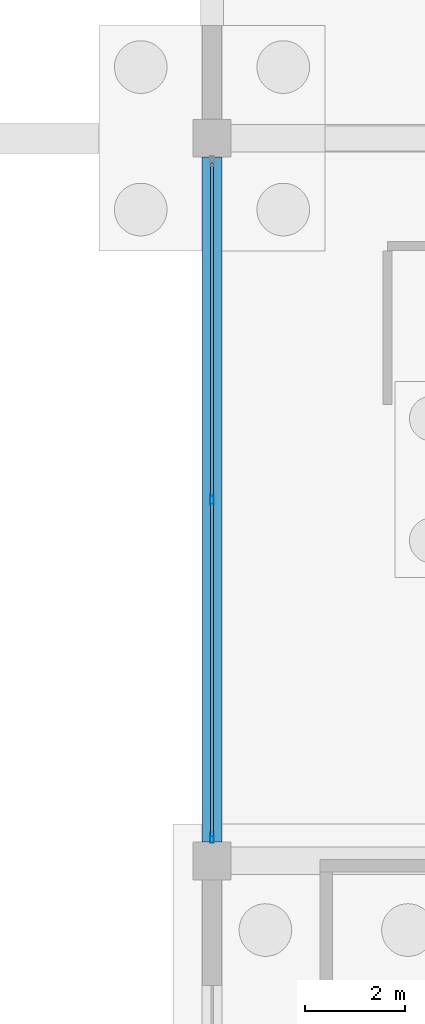
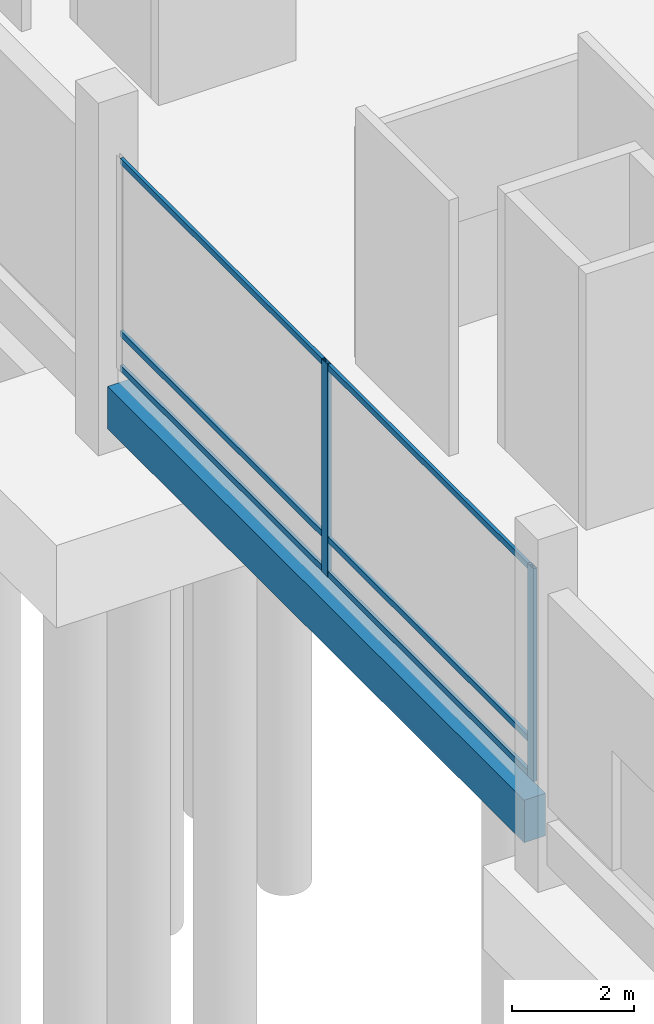
# One storey, part 91 of 192: 8 members, 1 beam, 1 element without a shape of its own.
"""IFC4 building model written with IfcOpenShell, lengths in metres."""

from ifc_helpers import new_model, si_unit, direction, frame, origin, origin_2d, place, context, subcontext, project, spatial, rectangle, hollow_rectangle, extrude, material, material_profile, profile_set, type_object, element, aggregate, save


model = new_model("IFC4")

# Units and contexts
model_context = context("Model", 3, precision=1e-05, world=origin(), true_north=direction((0.0, 1.0)))
body_context = subcontext(model_context, "Body", "Model", "MODEL_VIEW")
ifc_project = project(units=[si_unit("LENGTHUNIT", "METRE"), si_unit("AREAUNIT", "SQUARE_METRE"), si_unit("VOLUMEUNIT", "CUBIC_METRE"), si_unit("PLANEANGLEUNIT", "RADIAN"), si_unit("MASSUNIT", "GRAM", prefix="KILO")], contexts=[model_context])

# Site, building, storey
site_placement = place(None, origin())
site = spatial("IfcSite", under=ifc_project, at=site_placement, CompositionType="ELEMENT")
building_placement = place(site_placement, origin())
building = spatial("IfcBuilding", under=site, at=building_placement, Name="Cendralis Lancet Convention Centre", CompositionType="ELEMENT")
storey_placement = place(building_placement, origin())
storey = spatial("IfcBuildingStorey", under=building, at=storey_placement, Name="L00", CompositionType="ELEMENT", Elevation=0.0)

# Curtain wall, members
ifc_material_1 = material(Name="Anodised bronze architectural aluminium", Category="aluminium")
curtain_wall_type = type_object("IfcCurtainWallType", Name="ARC-CW-PL01", PredefinedType="USERDEFINED", material=ifc_material_1)
curtain_wall_placement = place(storey_placement, origin())
curtain_wall = element("IfcCurtainWall", 1, at=curtain_wall_placement, inside=storey, type_object=curtain_wall_type, Name="L00 Curtain Wall CW-PL1 #110", ObjectType="CURTAIN WALL", PredefinedType="USERDEFINED")
ifc_material_profile_1 = material_profile(ifc_material_1, hollow_rectangle(XDim=0.070068359375, YDim=0.199951171875, WallThickness=0.0048828125, at=origin_2d()), Name="AL-MULL 70x200x5.0")
ifc_profile_set_1 = profile_set([ifc_material_profile_1], Name="Anodised bronze architectural aluminium")
member_type_1 = type_object("IfcMemberType", Name="ARC-CW-ML02", PredefinedType="MULLION", material=ifc_profile_set_1)
member_1_placement = place(storey_placement, frame((139.199951171875, 50.860107421875, 0.0), z_axis=(0.0, 0.0, 1.0), x_axis=(1.0, 0.0, 0.0)))
member_1 = element("IfcMember", 2, at=member_1_placement, type_object=member_type_1, Name="Mullion CW2-CW-PL1-L00-110-M0", PredefinedType="MULLION", context=body_context, shape_type="SweptSolid", body=[
    extrude(hollow_rectangle(XDim=0.070068359375, YDim=0.199951171875, WallThickness=0.0048828125, at=origin_2d()), origin(), (0.0, 0.0, 1.0), 4.2548828125),
])
member_2_placement = place(storey_placement, frame((139.199951171875, 57.60009765625, 0.0), z_axis=(0.0, 0.0, 1.0), x_axis=(1.0, 0.0, 0.0)))
member_2 = element("IfcMember", 3, at=member_2_placement, type_object=member_type_1, Name="Mullion CW2-CW-PL1-L00-110-M1", PredefinedType="MULLION", context=body_context, shape_type="SweptSolid", body=[
    extrude(hollow_rectangle(XDim=0.070068359375, YDim=0.199951171875, WallThickness=0.0048828125, at=origin_2d()), origin(), (0.0, 0.0, 1.0), 4.2548828125),
])
ifc_material_profile_2 = material_profile(ifc_material_1, hollow_rectangle(XDim=0.06005859375, YDim=0.1201171875, WallThickness=0.00390625, at=origin_2d()), Name="AL-TRAN 60x120x4.0")
ifc_profile_set_2 = profile_set([ifc_material_profile_2], Name="Anodised bronze architectural aluminium")
member_type_2 = type_object("IfcMemberType", Name="ARC-CW-TR01", PredefinedType="USERDEFINED", material=ifc_profile_set_2)
member_3_placement = place(storey_placement, frame((139.199951171875, 50.89501953125, 0.06005859375), z_axis=(0.0, 1.0, 0.0), x_axis=(-1.0, 0.0, 0.0)))
member_3 = element("IfcMember", 4, at=member_3_placement, type_object=member_type_2, Name="Transom CW2-CW-PL1-L00-110-T0BOT", ObjectType="TRANSOM", PredefinedType="USERDEFINED", context=body_context, shape_type="SweptSolid", body=[
    extrude(hollow_rectangle(XDim=0.06005859375, YDim=0.1201171875, WallThickness=0.00390625, at=origin_2d()), origin(), (0.0, 0.0, 1.0), 6.635009765625),
])
member_4_placement = place(storey_placement, frame((139.199951171875, 50.89501953125, 0.75), z_axis=(0.0, 1.0, 0.0), x_axis=(-1.0, 0.0, 0.0)))
member_4 = element("IfcMember", 5, at=member_4_placement, type_object=member_type_2, Name="Transom CW2-CW-PL1-L00-110-T0MID", ObjectType="TRANSOM", PredefinedType="USERDEFINED", context=body_context, shape_type="SweptSolid", body=[
    extrude(hollow_rectangle(XDim=0.06005859375, YDim=0.1201171875, WallThickness=0.00390625, at=origin_2d()), origin(), (0.0, 0.0, 1.0), 6.635009765625),
])
member_5_placement = place(storey_placement, frame((139.199951171875, 50.89501953125, 4.195068359375), z_axis=(0.0, 1.0, 0.0), x_axis=(-1.0, 0.0, 0.0)))
member_5 = element("IfcMember", 6, at=member_5_placement, type_object=member_type_2, Name="Transom CW2-CW-PL1-L00-110-T0TOP", ObjectType="TRANSOM", PredefinedType="USERDEFINED", context=body_context, shape_type="SweptSolid", body=[
    extrude(hollow_rectangle(XDim=0.06005859375, YDim=0.1201171875, WallThickness=0.00390625, at=origin_2d()), origin(), (0.0, 0.0, 1.0), 6.635009765625),
])
member_6_placement = place(storey_placement, frame((139.199951171875, 57.669921875, 0.06005859375), z_axis=(0.0, 1.0, 0.0), x_axis=(-1.0, 0.0, 0.0)))
member_6 = element("IfcMember", 7, at=member_6_placement, type_object=member_type_2, Name="Transom CW2-CW-PL1-L00-110-T1BOT", ObjectType="TRANSOM", PredefinedType="USERDEFINED", context=body_context, shape_type="SweptSolid", body=[
    extrude(hollow_rectangle(XDim=0.06005859375, YDim=0.1201171875, WallThickness=0.00390625, at=origin_2d()), origin(), (0.0, 0.0, 1.0), 6.635009765625),
])
member_7_placement = place(storey_placement, frame((139.199951171875, 57.669921875, 0.75), z_axis=(0.0, 1.0, 0.0), x_axis=(-1.0, 0.0, 0.0)))
member_7 = element("IfcMember", 8, at=member_7_placement, type_object=member_type_2, Name="Transom CW2-CW-PL1-L00-110-T1MID", ObjectType="TRANSOM", PredefinedType="USERDEFINED", context=body_context, shape_type="SweptSolid", body=[
    extrude(hollow_rectangle(XDim=0.06005859375, YDim=0.1201171875, WallThickness=0.00390625, at=origin_2d()), origin(), (0.0, 0.0, 1.0), 6.635009765625),
])
member_8_placement = place(storey_placement, frame((139.199951171875, 57.669921875, 4.195068359375), z_axis=(0.0, 1.0, 0.0), x_axis=(-1.0, 0.0, 0.0)))
member_8 = element("IfcMember", 9, at=member_8_placement, type_object=member_type_2, Name="Transom CW2-CW-PL1-L00-110-T1TOP", ObjectType="TRANSOM", PredefinedType="USERDEFINED", context=body_context, shape_type="SweptSolid", body=[
    extrude(hollow_rectangle(XDim=0.06005859375, YDim=0.1201171875, WallThickness=0.00390625, at=origin_2d()), origin(), (0.0, 0.0, 1.0), 6.635009765625),
])
aggregate(curtain_wall, [member_1, member_2, member_3, member_4, member_5, member_6, member_7, member_8])

# Beam
ifc_material_2 = material(Name="Concrete G40 (C40/50)", Category="concrete")
ifc_material_profile_3 = material_profile(ifc_material_2, rectangle(XDim=0.39990234375, YDim=0.85009765625, at=origin_2d()), Name="RCB 400x850")
ifc_profile_set_3 = profile_set([ifc_material_profile_3], Name="Concrete G40 (C40/50)")
beam_type = type_object("IfcBeamType", Name="STR-SP-SP02", PredefinedType="SPANDREL", material=ifc_profile_set_3)
beam_placement = place(storey_placement, frame((139.199951171875, 50.77490234375, -0.7451171875), z_axis=(0.0, 1.0, 0.0), x_axis=(-1.0, 0.0, 0.0)))
element("IfcBeam", 10, at=beam_placement, inside=storey, type_object=beam_type, Name="L00 Beam SP02 #1368", PredefinedType="SPANDREL", context=body_context, shape_type="SweptSolid", body=[
    extrude(rectangle(XDim=0.39990234375, YDim=0.85009765625, at=origin_2d()), origin(), (0.0, 0.0, 1.0), 13.650146484375),
])

save(model, "model.ifc")
